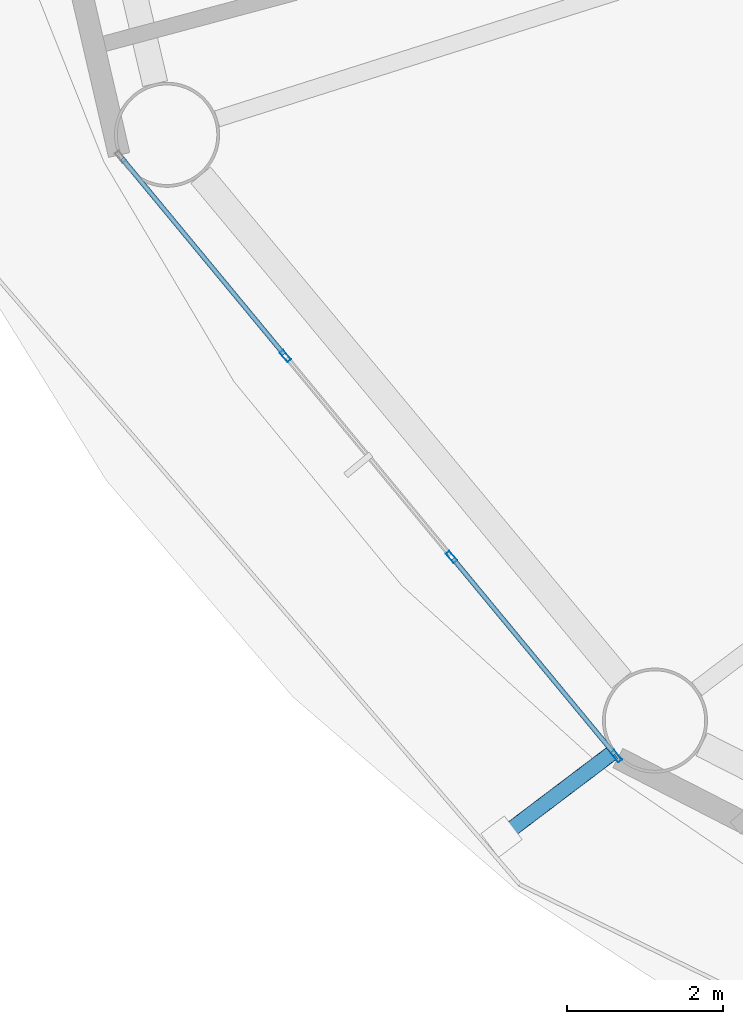
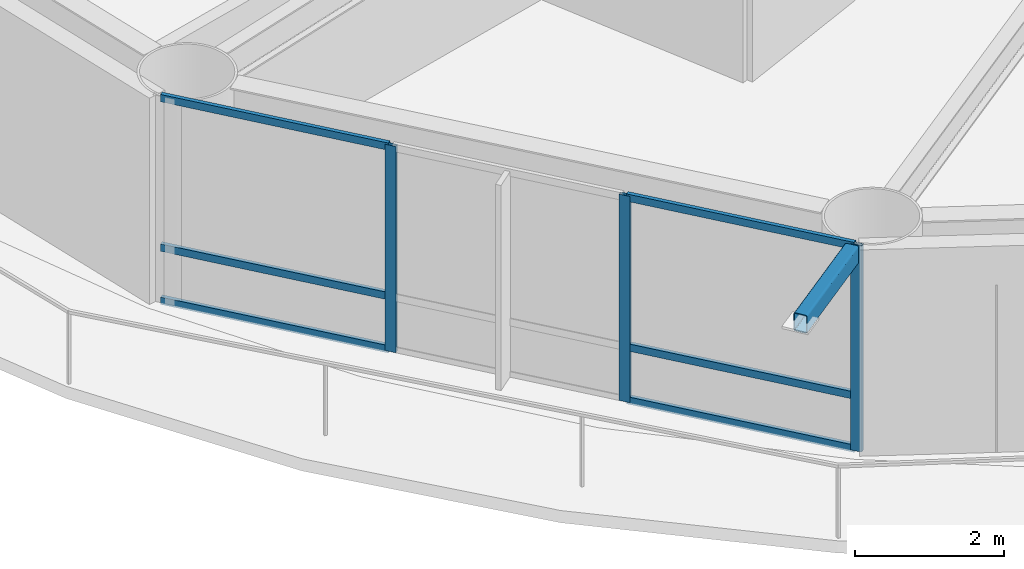
# One storey, part 2 of 26: 10 members, 1 element without a shape of its own.
"""IFC4 building model written with IfcOpenShell, lengths in metres."""

from ifc_helpers import new_model, si_unit, direction, frame, origin, origin_2d, place, context, subcontext, project, spatial, hollow_rectangle, extrude, material, layer, layer_set, material_profile, profile_set, type_object, element, aggregate, save


model = new_model("IFC4")

# Units and contexts
model_context = context("Model", 3, precision=1e-05, world=origin(), true_north=direction((0.0, 1.0)))
body_context = subcontext(model_context, "Body", "Model", "MODEL_VIEW")
ifc_project = project(units=[si_unit("LENGTHUNIT", "METRE"), si_unit("AREAUNIT", "SQUARE_METRE"), si_unit("VOLUMEUNIT", "CUBIC_METRE"), si_unit("PLANEANGLEUNIT", "RADIAN"), si_unit("MASSUNIT", "GRAM", prefix="KILO")], contexts=[model_context])

# Site, building, storey
site_placement = place(None, origin())
site = spatial("IfcSite", under=ifc_project, at=site_placement, CompositionType="ELEMENT")
building_placement = place(site_placement, origin())
building = spatial("IfcBuilding", under=site, at=building_placement, Name="Sarneth Arch Tower", CompositionType="ELEMENT")
storey_placement = place(building_placement, frame((0.0, 0.0, 42.60009765625)))
storey = spatial("IfcBuildingStorey", under=building, at=storey_placement, Name="L09", CompositionType="ELEMENT", Elevation=42.60009765625)

# Curtain wall, members
ifc_material_1 = material(Name="Anodised aluminium Type AA25 and solar-control low-e laminated IGU", Category="aluminium")
ifc_layer = layer(ifc_material_1, 0.159912109375)
ifc_layer_set = layer_set([ifc_layer], Name="Anodised aluminium Type AA25 and solar-control low-e laminated IGU")
curtain_wall_type = type_object("IfcCurtainWallType", Name="CW-HOTEL-LOW", PredefinedType="NOTDEFINED", material=ifc_layer_set)
curtain_wall_placement = place(storey_placement, origin())
curtain_wall = element("IfcCurtainWall", 1, at=curtain_wall_placement, inside=storey, type_object=curtain_wall_type, Name="L09 Unitised curtain wall facet 10", PredefinedType="NOTDEFINED")
ifc_material_2 = material(Name="Anodised Aluminium 6063-T6", Category="aluminium")
ifc_material_profile_1 = material_profile(ifc_material_2, hollow_rectangle(XDim=0.06005859375, YDim=0.159912109375, WallThickness=0.00390625, at=origin_2d()), Name="AL-MULL-160x60x4")
ifc_profile_set_1 = profile_set([ifc_material_profile_1], Name="Anodised Aluminium 6063-T6")
member_type_1 = type_object("IfcMemberType", Name="CW-MULLION", PredefinedType="MULLION", material=ifc_profile_set_1)
member_1_placement = place(storey_placement, frame((21.5546875, 30.279052734375, 0.0), z_axis=(0.0, 0.0, 1.0), x_axis=(0.770622960278, 0.637291340827, 0.0)))
member_1 = element("IfcMember", 2, at=member_1_placement, type_object=member_type_1, Name="CW-SYS-3 mullion 2", PredefinedType="MULLION", context=body_context, shape_type="SweptSolid", body=[
    extrude(hollow_rectangle(XDim=0.06005859375, YDim=0.159912109375, WallThickness=0.00390625, at=origin_2d()), origin(), (0.0, 0.0, 1.0), 3.3798828125),
])
member_2_placement = place(storey_placement, frame((23.690185546875, 27.69677734375, 0.0), z_axis=(0.0, 0.0, 1.0), x_axis=(0.770622960278, 0.637291340827, 0.0)))
member_2 = element("IfcMember", 3, at=member_2_placement, type_object=member_type_1, Name="CW-SYS-3 mullion 3", PredefinedType="MULLION", context=body_context, shape_type="SweptSolid", body=[
    extrude(hollow_rectangle(XDim=0.06005859375, YDim=0.159912109375, WallThickness=0.00390625, at=origin_2d()), origin(), (0.0, 0.0, 1.0), 3.3798828125),
])
member_3_placement = place(storey_placement, frame((25.806640625, 25.137451171875, 0.0), z_axis=(0.0, 0.0, 1.0), x_axis=(0.770622960278, 0.637291340827, 0.0)))
member_3 = element("IfcMember", 4, at=member_3_placement, type_object=member_type_1, Name="CW-SYS-3 mullion 4", PredefinedType="MULLION", context=body_context, shape_type="SweptSolid", body=[
    extrude(hollow_rectangle(XDim=0.06005859375, YDim=0.159912109375, WallThickness=0.00390625, at=origin_2d()), origin(), (0.0, 0.0, 1.0), 3.3798828125),
])
ifc_material_3 = material(Name="Anodised Aluminium 6063-T6", Category="aluminium")
ifc_material_profile_2 = material_profile(ifc_material_3, hollow_rectangle(XDim=0.06005859375, YDim=0.1201171875, WallThickness=0.00390625, at=origin_2d()), Name="AL-TRAN-120x60x4")
ifc_profile_set_2 = profile_set([ifc_material_profile_2], Name="Anodised Aluminium 6063-T6")
member_type_2 = type_object("IfcMemberType", Name="CW-TRANSOM", PredefinedType="USERDEFINED", material=ifc_profile_set_2)
member_4_placement = place(storey_placement, frame((19.457275390625, 32.815185546875, 0.02978515625), z_axis=(0.63733019572, -0.77059082633, 0.0), x_axis=(0.77059082633, 0.63733019572, 0.0)))
member_4 = element("IfcMember", 5, at=member_4_placement, type_object=member_type_2, Name="CW-SYS-3 transom 1.1", ObjectType="TRANSOM", PredefinedType="USERDEFINED", context=body_context, shape_type="SweptSolid", body=[
    extrude(hollow_rectangle(XDim=0.06005859375, YDim=0.1201171875, WallThickness=0.00390625, at=origin_2d()), origin(), (0.0, 0.0, 1.0), 3.260986328125),
])
member_5_placement = place(storey_placement, frame((19.457275390625, 32.815185546875, 0.89990234375), z_axis=(0.63733019572, -0.77059082633, 0.0), x_axis=(0.77059082633, 0.63733019572, 0.0)))
member_5 = element("IfcMember", 6, at=member_5_placement, type_object=member_type_2, Name="CW-SYS-3 transom 1.2", ObjectType="TRANSOM", PredefinedType="USERDEFINED", context=body_context, shape_type="SweptSolid", body=[
    extrude(hollow_rectangle(XDim=0.06005859375, YDim=0.1201171875, WallThickness=0.00390625, at=origin_2d()), origin(), (0.0, 0.0, 1.0), 3.260986328125),
])
member_6_placement = place(storey_placement, frame((19.457275390625, 32.815185546875, 3.349853515625), z_axis=(0.63733019572, -0.77059082633, 0.0), x_axis=(0.77059082633, 0.63733019572, 0.0)))
member_6 = element("IfcMember", 7, at=member_6_placement, type_object=member_type_2, Name="CW-SYS-3 transom 1.3", ObjectType="TRANSOM", PredefinedType="USERDEFINED", context=body_context, shape_type="SweptSolid", body=[
    extrude(hollow_rectangle(XDim=0.06005859375, YDim=0.1201171875, WallThickness=0.00390625, at=origin_2d()), origin(), (0.0, 0.0, 1.0), 3.260986328125),
])
member_7_placement = place(storey_placement, frame((23.70947265625, 27.673583984375, 0.02978515625), z_axis=(0.637285736625, -0.770627594817, 0.0), x_axis=(0.770627594817, 0.637285736625, 0.0)))
member_7 = element("IfcMember", 8, at=member_7_placement, type_object=member_type_2, Name="CW-SYS-3 transom 3.1", ObjectType="TRANSOM", PredefinedType="USERDEFINED", context=body_context, shape_type="SweptSolid", body=[
    extrude(hollow_rectangle(XDim=0.06005859375, YDim=0.1201171875, WallThickness=0.00390625, at=origin_2d()), origin(), (0.0, 0.0, 1.0), 3.260986328125),
])
member_8_placement = place(storey_placement, frame((23.70947265625, 27.673583984375, 0.89990234375), z_axis=(0.637285736625, -0.770627594817, 0.0), x_axis=(0.770627594817, 0.637285736625, 0.0)))
member_8 = element("IfcMember", 9, at=member_8_placement, type_object=member_type_2, Name="CW-SYS-3 transom 3.2", ObjectType="TRANSOM", PredefinedType="USERDEFINED", context=body_context, shape_type="SweptSolid", body=[
    extrude(hollow_rectangle(XDim=0.06005859375, YDim=0.1201171875, WallThickness=0.00390625, at=origin_2d()), origin(), (0.0, 0.0, 1.0), 3.260986328125),
])
member_9_placement = place(storey_placement, frame((23.70947265625, 27.673583984375, 3.349853515625), z_axis=(0.637285736625, -0.770627594817, 0.0), x_axis=(0.770627594817, 0.637285736625, 0.0)))
member_9 = element("IfcMember", 10, at=member_9_placement, type_object=member_type_2, Name="CW-SYS-3 transom 3.3", ObjectType="TRANSOM", PredefinedType="USERDEFINED", context=body_context, shape_type="SweptSolid", body=[
    extrude(hollow_rectangle(XDim=0.06005859375, YDim=0.1201171875, WallThickness=0.00390625, at=origin_2d()), origin(), (0.0, 0.0, 1.0), 3.260986328125),
])
aggregate(curtain_wall, [member_1, member_2, member_3, member_4, member_5, member_6, member_7, member_8, member_9])

# Member
ifc_material_4 = material(Name="Steel S355", Category="steel")
ifc_material_profile_3 = material_profile(ifc_material_4, hollow_rectangle(XDim=0.199951171875, YDim=0.300048828125, WallThickness=0.012451171875, InnerFilletRadius=0.018798828125, OuterFilletRadius=0.03125, at=origin_2d()), Name="RHS300x200x12.5")
ifc_profile_set_3 = profile_set([ifc_material_profile_3], Name="Steel S355")
member_type_3 = type_object("IfcMemberType", Name="MEM-CANT-STRUT", PredefinedType="STRUT", material=ifc_profile_set_3)
member_10_placement = place(storey_placement, frame((25.764892578125, 25.18798828125, 3.219970703125), z_axis=(-0.797630646148, -0.603146211399, 0.0), x_axis=(0.603146211399, -0.797630646148, 0.0)))
element("IfcMember", 11, at=member_10_placement, inside=storey, type_object=member_type_3, Name="L09 Balcony cantilever bracket 11", PredefinedType="STRUT", context=body_context, shape_type="SweptSolid", body=[
    extrude(hollow_rectangle(XDim=0.199951171875, YDim=0.300048828125, WallThickness=0.012451171875, InnerFilletRadius=0.018798828125, OuterFilletRadius=0.03125, at=origin_2d()), origin(), (0.0, 0.0, 1.0), 1.797607421875),
])

save(model, "model.ifc")
